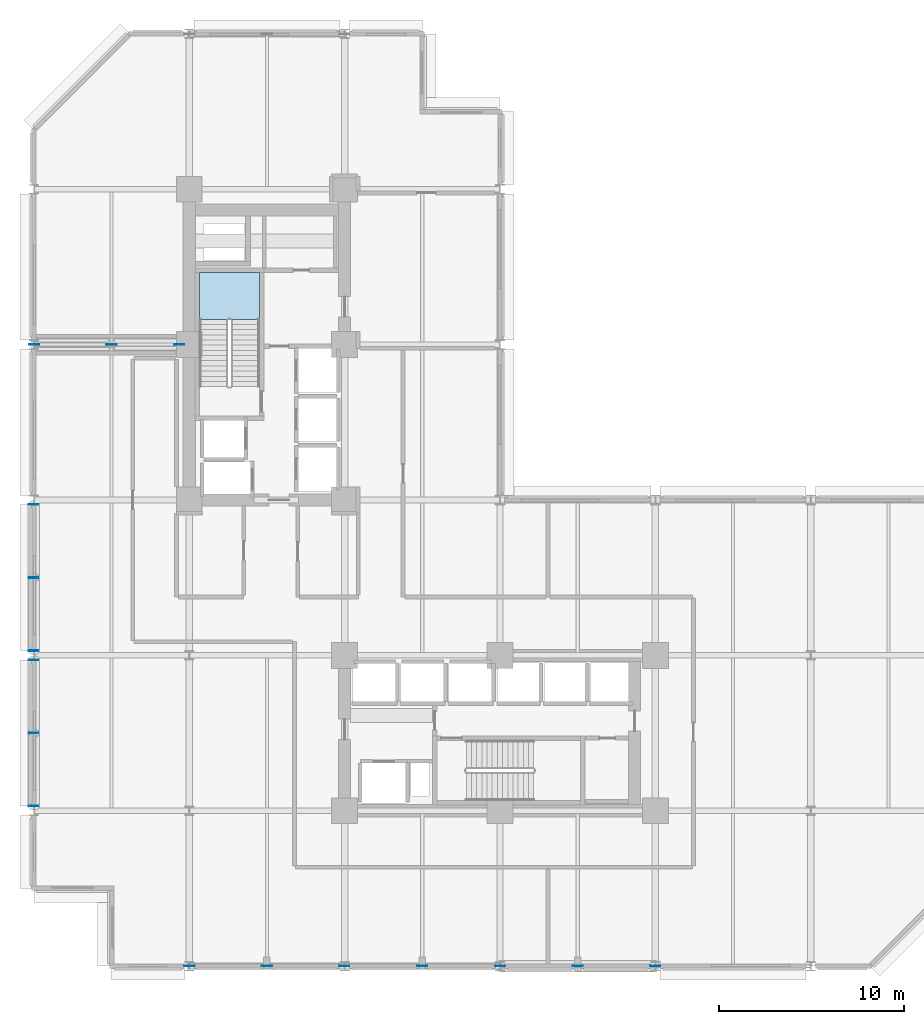
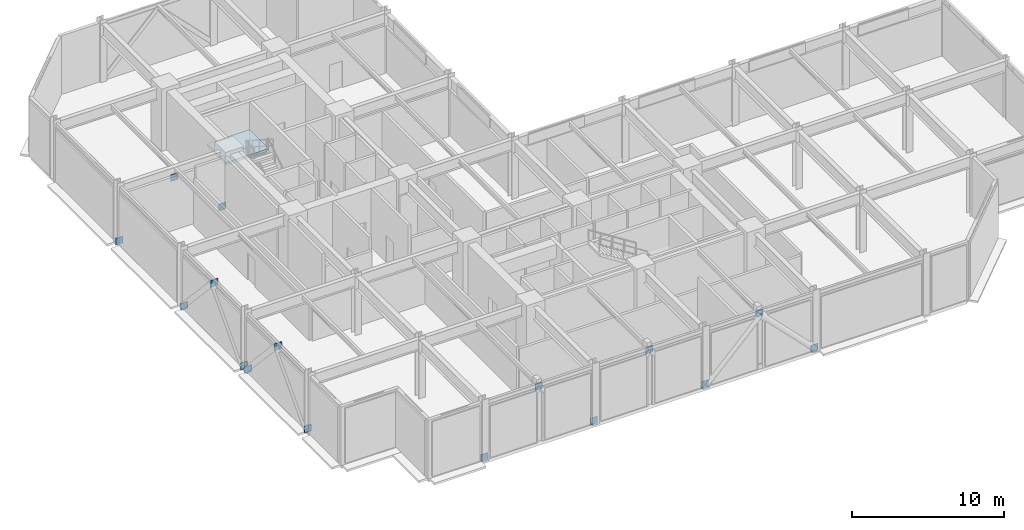
# One storey, part 5 of 13: 16 plates, 1 slab, 1 element without a shape of its own.
"""IFC4 building model written with IfcOpenShell, lengths in metres."""

from ifc_helpers import new_model, si_unit, direction, frame, origin, origin_2d, place, context, subcontext, project, spatial, polyline, rectangle, outline, extrude, material, layer, layer_set, type_object, element, aggregate, save


model = new_model("IFC4")

# Units and contexts
model_context = context("Model", 3, precision=1e-05, world=origin(), true_north=direction((0.0, 1.0)))
body_context = subcontext(model_context, "Body", "Model", "MODEL_VIEW")
ifc_project = project(units=[si_unit("LENGTHUNIT", "METRE"), si_unit("AREAUNIT", "SQUARE_METRE"), si_unit("VOLUMEUNIT", "CUBIC_METRE"), si_unit("PLANEANGLEUNIT", "RADIAN"), si_unit("MASSUNIT", "GRAM", prefix="KILO")], contexts=[model_context])

# Site, building, storey
site_placement = place(None, origin())
site = spatial("IfcSite", under=ifc_project, at=site_placement, CompositionType="ELEMENT")
building_placement = place(site_placement, origin())
building = spatial("IfcBuilding", under=site, at=building_placement, Name="Nerrivon Quay Data Exchange", CompositionType="ELEMENT")
storey_placement = place(building_placement, frame((0.0, 0.0, 79.39990234375)))
storey = spatial("IfcBuildingStorey", under=building, at=storey_placement, Name="L18", CompositionType="ELEMENT", Elevation=79.39990234375)

# Plates
ifc_material_1 = material(Name="Steel Grade 350", Category="steel")
ifc_layer_1 = layer(ifc_material_1, 0.031982421875)
ifc_layer_set_1 = layer_set([ifc_layer_1], Name="Steel Grade 350")
plate_type_1 = type_object("IfcPlateType", Name="PLT-KNB01", PredefinedType="USERDEFINED", material=ifc_layer_set_1)
for number, where, z_axis, x_axis, name in (
    (1, (8.4140625, 0.0, -0.0947265625), (0.0, 0.0, 1.0), (1.0, 0.0, 0.0), "L18 node plate 25"),
    (2, (12.60009765625, 0.0, 4.16015625), (0.0, 0.0, 1.0), (1.0, 0.0, 0.0), "L18 node plate 26"),
    (3, (16.785888671875, 0.0, -0.0947265625), (0.0, 0.0, 1.0), (1.0, 0.0, 0.0), "L18 node plate 27"),
):
    element("IfcPlate", number, at=place(storey_placement, frame(where, z_axis=z_axis, x_axis=x_axis)), inside=storey, type_object=plate_type_1, Name=name, ObjectType="GUSSET PLATE", PredefinedType="USERDEFINED", context=body_context, shape_type="SweptSolid", body=[
        extrude(rectangle(XDim=0.550048828125, YDim=0.035888671875, at=origin_2d()), origin(), (0.0, 0.0, 1.0), 0.550048828125),
    ])
ifc_layer_2 = layer(ifc_material_1, 0.035888671875)
ifc_layer_set_2 = layer_set([ifc_layer_2], Name="Steel Grade 350")
plate_type_2 = type_object("IfcPlateType", Name="PLT-KNK01", PredefinedType="USERDEFINED", material=ifc_layer_set_2)
plate_placement = place(storey_placement, frame((21.0, 0.0, 4.16015625), z_axis=(0.0, 0.0, 1.0), x_axis=(1.0, 0.0, 0.0)))
element("IfcPlate", 4, at=plate_placement, inside=storey, type_object=plate_type_2, Name="L18 node plate 28", ObjectType="GUSSET PLATE", PredefinedType="USERDEFINED", context=body_context, shape_type="SweptSolid", body=[
    extrude(rectangle(XDim=0.550048828125, YDim=0.035888671875, at=origin_2d()), origin(), (0.0, 0.0, 1.0), 0.550048828125),
])
ifc_layer_3 = layer(ifc_material_1, 0.0400390625)
ifc_layer_set_3 = layer_set([ifc_layer_3], Name="Steel Grade 350")
plate_type_3 = type_object("IfcPlateType", Name="PLT-ON01", PredefinedType="USERDEFINED", material=ifc_layer_set_3)
for number, where, z_axis, x_axis, name in (
    (5, (0.013916015625, 33.60009765625, -0.0947265625), (0.0, 0.0, 1.0), (1.0, 0.0, 0.0), "L18 node plate 13"),
    (6, (4.199951171875, 33.60009765625, 3.56005859375), (0.0, 0.0, 1.0), (1.0, 0.0, 0.0), "L18 node plate 14"),
    (7, (7.860107421875, 33.60009765625, -0.0947265625), (0.0, 0.0, 1.0), (1.0, 0.0, 0.0), "L18 node plate 15"),
    (8, (25.214111328125, 0.0, -0.0947265625), (0.0, 0.0, 1.0), (1.0, 0.0, 0.0), "L18 node plate 16"),
    (9, (29.39990234375, 0.0, 4.16015625), (0.0, 0.0, 1.0), (1.0, 0.0, 0.0), "L18 node plate 17"),
    (10, (33.5859375, 0.0, -0.0947265625), (0.0, 0.0, 1.0), (1.0, 0.0, 0.0), "L18 node plate 18"),
    (11, (0.0, 8.64990234375, -0.0947265625), (0.0, 0.0, 1.0), (1.0, 0.0, 0.0), "L18 node plate 19"),
    (12, (0.0, 12.60009765625, 4.16015625), (0.0, 0.0, 1.0), (1.0, 0.0, 0.0), "L18 node plate 20"),
    (13, (0.0, 16.550048828125, -0.0947265625), (0.0, 0.0, 1.0), (1.0, 0.0, 0.0), "L18 node plate 21"),
    (14, (0.0, 17.050048828125, -0.0947265625), (0.0, 0.0, 1.0), (1.0, 0.0, 0.0), "L18 node plate 22"),
    (15, (0.0, 21.0, 4.16015625), (0.0, 0.0, 1.0), (1.0, 0.0, 0.0), "L18 node plate 23"),
    (16, (0.0, 24.949951171875, -0.0947265625), (0.0, 0.0, 1.0), (1.0, 0.0, 0.0), "L18 node plate 24"),
):
    element("IfcPlate", number, at=place(storey_placement, frame(where, z_axis=z_axis, x_axis=x_axis)), inside=storey, type_object=plate_type_3, Name=name, ObjectType="GUSSET PLATE", PredefinedType="USERDEFINED", context=body_context, shape_type="SweptSolid", body=[
        extrude(rectangle(XDim=0.550048828125, YDim=0.035888671875, at=origin_2d()), origin(), (0.0, 0.0, 1.0), 0.550048828125),
    ])

# Stair, slab
ifc_material_2 = material(Name="Concrete N50 (50 MPa)", Category="concrete")
stair_type = type_object("IfcStairType", Name="STAIR-DOG-50", PredefinedType="HALF_TURN_STAIR", material=ifc_material_2)
stair_placement = place(storey_placement, origin())
stair = element("IfcStair", 17, at=stair_placement, inside=storey, type_object=stair_type, Name="L18 West Core Fire Stair ST01", PredefinedType="HALF_TURN_STAIR")
ifc_layer_4 = layer(ifc_material_2, 0.199951171875)
ifc_layer_set_4 = layer_set([ifc_layer_4], Name="Concrete N50 (50 MPa)")
slab_type = type_object("IfcSlabType", Name="SLB-LAND-200", PredefinedType="LANDING", material=ifc_layer_set_4)
slab_placement = place(storey_placement, frame((0.0, 0.0, 2.300048828125)))
slab = element("IfcSlab", 18, at=slab_placement, type_object=slab_type, Name="ST01 landing 1", PredefinedType="LANDING", context=body_context, shape_type="SweptSolid", body=[
    extrude(outline(polyline([(12.199951171875, 34.969970703125), (12.199951171875, 37.5), (8.949951171875, 37.5), (8.949951171875, 34.969970703125), (12.199951171875, 34.969970703125)])), origin(), (0.0, 0.0, 1.0), 0.199951171875),
])
aggregate(stair, [slab])

save(model, "model.ifc")
